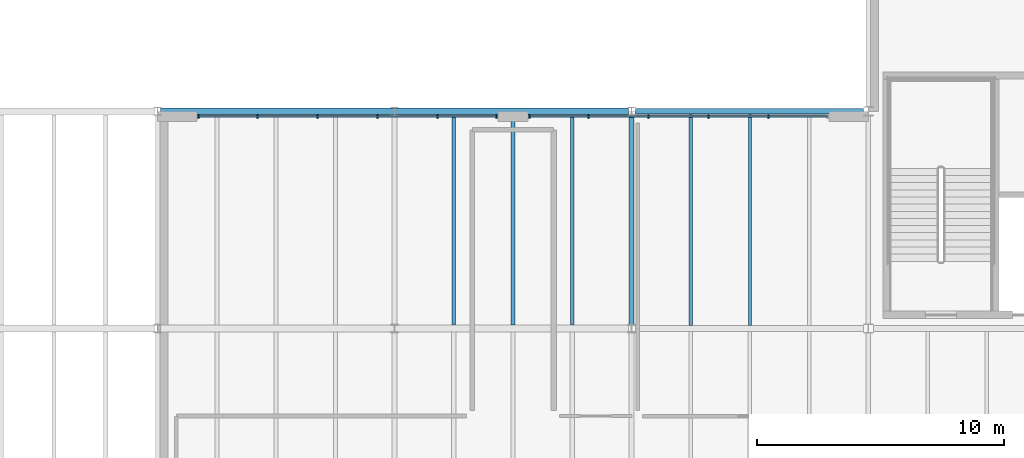
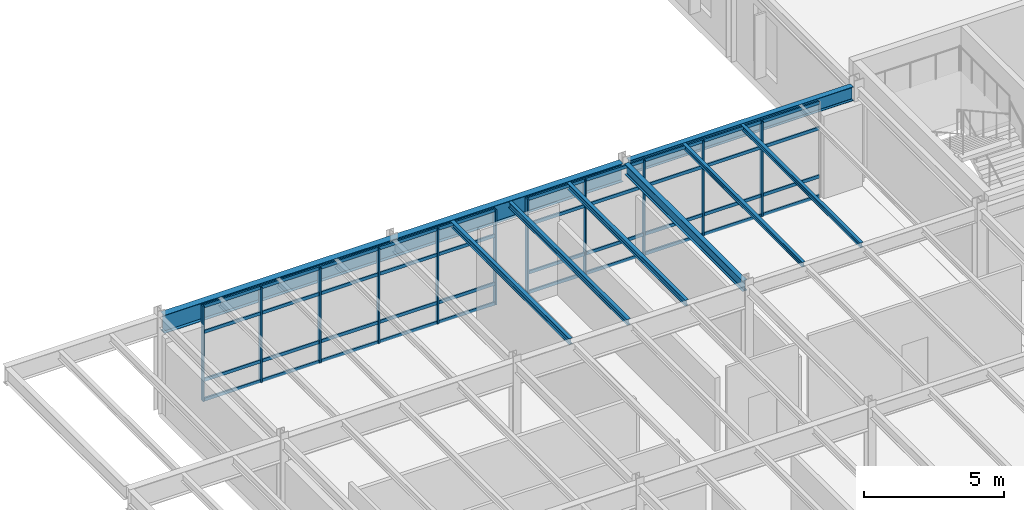
# One storey, part 31 of 77: 19 members, 8 beams, 2 elements without a shape of their own.
"""IFC4 building model written with IfcOpenShell, lengths in metres."""

from ifc_helpers import new_model, si_unit, direction, frame, origin, origin_2d, place, context, subcontext, project, spatial, rectangle, i_section, extrude, material, material_profile, profile_set, type_object, element, aggregate, save


model = new_model("IFC4")

# Units and contexts
model_context = context("Model", 3, precision=1e-05, world=origin(), true_north=direction((0.0, 1.0)))
body_context = subcontext(model_context, "Body", "Model", "MODEL_VIEW")
ifc_project = project(units=[si_unit("LENGTHUNIT", "METRE"), si_unit("AREAUNIT", "SQUARE_METRE"), si_unit("VOLUMEUNIT", "CUBIC_METRE"), si_unit("PLANEANGLEUNIT", "RADIAN"), si_unit("MASSUNIT", "GRAM", prefix="KILO")], contexts=[model_context])

# Site, building, storey
site_placement = place(None, origin())
site = spatial("IfcSite", under=ifc_project, at=site_placement, CompositionType="ELEMENT")
building_placement = place(site_placement, origin())
building = spatial("IfcBuilding", under=site, at=building_placement, Name="Sarnbrook Museum", CompositionType="ELEMENT")
storey_placement = place(building_placement, frame((0.0, 0.0, 5.60009765625)))
storey = spatial("IfcBuildingStorey", under=building, at=storey_placement, Name="L01", CompositionType="ELEMENT", Elevation=5.60009765625)

# Beams
ifc_material_1 = material(Name="Structural Steel Grade 300PLUS (AS/NZS 3679.1, fy = 280 MPa for 17 < t <= 40 mm, 300 MPa for t <= 17 mm)", Category="steel")
ifc_material_profile_1 = material_profile(ifc_material_1, i_section(OverallWidth=0.18994140625, OverallDepth=0.45703125, WebThickness=0.009033203125, FlangeThickness=0.014404296875, FilletRadius=0.011474609375, at=origin_2d()), Name="460UB74.6")
ifc_profile_set_1 = profile_set([ifc_material_profile_1], Name="Structural Steel Grade 300PLUS (AS/NZS 3679.1, fy = 280 MPa for 17 < t <= 40 mm, 300 MPa for t <= 17 mm)")
beam_type_1 = type_object("IfcBeamType", Name="BM-UB460", PredefinedType="BEAM", material=ifc_profile_set_1)
beam_1_placement = place(storey_placement, frame((32.800048828125, 83.363525390625, 3.991455078125), z_axis=(0.0, 1.0, 0.0), x_axis=(-1.0, 0.0, 0.0)))
element("IfcBeam", 1, at=beam_1_placement, inside=storey, type_object=beam_type_1, Name="Girder 4:K-L L01", PredefinedType="BEAM", context=body_context, shape_type="SweptSolid", body=[
    extrude(i_section(OverallWidth=0.18994140625, OverallDepth=0.45703125, WebThickness=0.009033203125, FlangeThickness=0.014404296875, FilletRadius=0.011474609375, at=origin_2d()), origin(), (0.0, 0.0, 1.0), 8.472900390625),
])
ifc_material_profile_2 = material_profile(ifc_material_1, i_section(OverallWidth=0.22802734375, OverallDepth=0.60693359375, WebThickness=0.01123046875, FlangeThickness=0.017333984375, FilletRadius=0.013916015625, at=origin_2d()), Name="610UB113")
ifc_profile_set_2 = profile_set([ifc_material_profile_2], Name="Structural Steel Grade 300PLUS (AS/NZS 3679.1, fy = 280 MPa for 17 < t <= 40 mm, 300 MPa for t <= 17 mm)")
beam_type_2 = type_object("IfcBeamType", Name="BM-UB610", PredefinedType="BEAM", material=ifc_profile_set_2)
beam_2_placement = place(storey_placement, frame((32.95556640625, 92.0, 3.91650390625), z_axis=(1.0, 0.0, 0.0), x_axis=(0.0, 1.0, 0.0)))
element("IfcBeam", 2, at=beam_2_placement, inside=storey, type_object=beam_type_2, Name="Girder L:4-5 L01", PredefinedType="BEAM", context=body_context, shape_type="SweptSolid", body=[
    extrude(i_section(OverallWidth=0.22802734375, OverallDepth=0.60693359375, WebThickness=0.01123046875, FlangeThickness=0.017333984375, FilletRadius=0.013916015625, at=origin_2d()), origin(), (0.0, 0.0, 1.0), 9.244384765625),
])
ifc_material_2 = material(Name="Structural Steel Grade 350L0 (AS/NZS 3678, fy = 340 MPa for 20 < t <= 40 mm)", Category="steel")
ifc_material_profile_3 = material_profile(ifc_material_2, i_section(OverallWidth=0.27490234375, OverallDepth=0.800048828125, WebThickness=0.010009765625, FlangeThickness=0.01611328125, at=origin_2d()), Name="800WB146")
ifc_profile_set_3 = profile_set([ifc_material_profile_3], Name="Structural Steel Grade 350L0 (AS/NZS 3678, fy = 340 MPa for 20 < t <= 40 mm)")
beam_type_3 = type_object("IfcBeamType", Name="CR-CANT", PredefinedType="BEAM", material=ifc_profile_set_3)
beam_3_placement = place(storey_placement, frame((32.679931640625, 92.0, 3.81982421875), z_axis=(-1.0, 0.0, 0.0), x_axis=(0.0, -1.0, 0.0)))
element("IfcBeam", 3, at=beam_3_placement, inside=storey, type_object=beam_type_3, Name="Cantilever North Edge Back-Span Girder L01", PredefinedType="BEAM", context=body_context, shape_type="SweptSolid", body=[
    extrude(i_section(OverallWidth=0.27490234375, OverallDepth=0.800048828125, WebThickness=0.010009765625, FlangeThickness=0.01611328125, at=origin_2d()), origin(), (0.0, 0.0, 1.0), 18.9599609375),
])

# Curtain wall, members
ifc_material_3 = material(Name="Thermally Broken Anodised Aluminium 6063-T6", Category="aluminium")
curtain_wall_type = type_object("IfcCurtainWallType", Name="CurtainWall_GalleryRibbon", PredefinedType="NOTDEFINED", material=ifc_material_3)
curtain_wall_1_placement = place(storey_placement, origin())
curtain_wall_1 = element("IfcCurtainWall", 4, at=curtain_wall_1_placement, inside=storey, type_object=curtain_wall_type, Name="Gallery Ribbon Curtain Wall L01-10.1", PredefinedType="NOTDEFINED")
ifc_material_profile_4 = material_profile(ifc_material_3, rectangle(XDim=0.06005859375, YDim=0.159912109375, at=origin_2d()), Name="ALU MULLION 60x160")
ifc_profile_set_4 = profile_set([ifc_material_profile_4], Name="Thermally Broken Anodised Aluminium 6063-T6")
member_type_1 = type_object("IfcMemberType", Name="CW_Mullion_150x65", PredefinedType="MULLION", material=ifc_profile_set_4)
member_1_placement = place(storey_placement, frame((38.347900390625, 91.7900390625, 0.0), z_axis=(0.0, 0.0, 1.0), x_axis=(1.0, 0.0, 0.0)))
member_1 = element("IfcMember", 5, at=member_1_placement, type_object=member_type_1, Name="Gallery Ribbon Curtain Wall L01-10.1 Mullion 2", PredefinedType="MULLION", context=body_context, shape_type="SweptSolid", body=[
    extrude(rectangle(XDim=0.06005859375, YDim=0.159912109375, at=origin_2d()), origin(), (0.0, 0.0, 1.0), 4.159912109375),
])
member_2_placement = place(storey_placement, frame((35.916015625, 91.7900390625, 0.0), z_axis=(0.0, 0.0, 1.0), x_axis=(1.0, 0.0, 0.0)))
member_2 = element("IfcMember", 6, at=member_2_placement, type_object=member_type_1, Name="Gallery Ribbon Curtain Wall L01-10.1 Mullion 3", PredefinedType="MULLION", context=body_context, shape_type="SweptSolid", body=[
    extrude(rectangle(XDim=0.06005859375, YDim=0.159912109375, at=origin_2d()), origin(), (0.0, 0.0, 1.0), 4.159912109375),
])
member_3_placement = place(storey_placement, frame((33.48388671875, 91.7900390625, 0.0), z_axis=(0.0, 0.0, 1.0), x_axis=(1.0, 0.0, 0.0)))
member_3 = element("IfcMember", 7, at=member_3_placement, type_object=member_type_1, Name="Gallery Ribbon Curtain Wall L01-10.1 Mullion 4", PredefinedType="MULLION", context=body_context, shape_type="SweptSolid", body=[
    extrude(rectangle(XDim=0.06005859375, YDim=0.159912109375, at=origin_2d()), origin(), (0.0, 0.0, 1.0), 4.159912109375),
])
member_4_placement = place(storey_placement, frame((31.052001953125, 91.7900390625, 0.0), z_axis=(0.0, 0.0, 1.0), x_axis=(1.0, 0.0, 0.0)))
member_4 = element("IfcMember", 8, at=member_4_placement, type_object=member_type_1, Name="Gallery Ribbon Curtain Wall L01-10.1 Mullion 5", PredefinedType="MULLION", context=body_context, shape_type="SweptSolid", body=[
    extrude(rectangle(XDim=0.06005859375, YDim=0.159912109375, at=origin_2d()), origin(), (0.0, 0.0, 1.0), 4.159912109375),
])
member_5_placement = place(storey_placement, frame((28.659912109375, 91.7900390625, 0.0), z_axis=(0.0, 0.0, 1.0), x_axis=(1.0, 0.0, 0.0)))
member_5 = element("IfcMember", 9, at=member_5_placement, type_object=member_type_1, Name="Gallery Ribbon Curtain Wall L01-10.1 Mullion 6", PredefinedType="MULLION", context=body_context, shape_type="SweptSolid", body=[
    extrude(rectangle(XDim=0.06005859375, YDim=0.159912109375, at=origin_2d()), origin(), (0.0, 0.0, 1.0), 4.159912109375),
])

curtain_wall_2_placement = place(storey_placement, origin())
curtain_wall_2 = element("IfcCurtainWall", 10, at=curtain_wall_2_placement, inside=storey, type_object=curtain_wall_type, Name="Gallery Ribbon Curtain Wall L01-10.2", PredefinedType="NOTDEFINED")
member_6_placement = place(storey_placement, frame((27.340087890625, 91.7900390625, 0.0), z_axis=(0.0, 0.0, 1.0), x_axis=(1.0, 0.0, 0.0)))
member_6 = element("IfcMember", 11, at=member_6_placement, type_object=member_type_1, Name="Gallery Ribbon Curtain Wall L01-10.2 Mullion 1", PredefinedType="MULLION", context=body_context, shape_type="SweptSolid", body=[
    extrude(rectangle(XDim=0.06005859375, YDim=0.159912109375, at=origin_2d()), origin(), (0.0, 0.0, 1.0), 4.159912109375),
])
member_7_placement = place(storey_placement, frame((24.947998046875, 91.7900390625, 0.0), z_axis=(0.0, 0.0, 1.0), x_axis=(1.0, 0.0, 0.0)))
member_7 = element("IfcMember", 12, at=member_7_placement, type_object=member_type_1, Name="Gallery Ribbon Curtain Wall L01-10.2 Mullion 2", PredefinedType="MULLION", context=body_context, shape_type="SweptSolid", body=[
    extrude(rectangle(XDim=0.06005859375, YDim=0.159912109375, at=origin_2d()), origin(), (0.0, 0.0, 1.0), 4.159912109375),
])
member_8_placement = place(storey_placement, frame((22.51611328125, 91.7900390625, 0.0), z_axis=(0.0, 0.0, 1.0), x_axis=(1.0, 0.0, 0.0)))
member_8 = element("IfcMember", 13, at=member_8_placement, type_object=member_type_1, Name="Gallery Ribbon Curtain Wall L01-10.2 Mullion 3", PredefinedType="MULLION", context=body_context, shape_type="SweptSolid", body=[
    extrude(rectangle(XDim=0.06005859375, YDim=0.159912109375, at=origin_2d()), origin(), (0.0, 0.0, 1.0), 4.159912109375),
])
member_9_placement = place(storey_placement, frame((20.083984375, 91.7900390625, 0.0), z_axis=(0.0, 0.0, 1.0), x_axis=(1.0, 0.0, 0.0)))
member_9 = element("IfcMember", 14, at=member_9_placement, type_object=member_type_1, Name="Gallery Ribbon Curtain Wall L01-10.2 Mullion 4", PredefinedType="MULLION", context=body_context, shape_type="SweptSolid", body=[
    extrude(rectangle(XDim=0.06005859375, YDim=0.159912109375, at=origin_2d()), origin(), (0.0, 0.0, 1.0), 4.159912109375),
])
member_10_placement = place(storey_placement, frame((17.652099609375, 91.7900390625, 0.0), z_axis=(0.0, 0.0, 1.0), x_axis=(1.0, 0.0, 0.0)))
member_10 = element("IfcMember", 15, at=member_10_placement, type_object=member_type_1, Name="Gallery Ribbon Curtain Wall L01-10.2 Mullion 5", PredefinedType="MULLION", context=body_context, shape_type="SweptSolid", body=[
    extrude(rectangle(XDim=0.06005859375, YDim=0.159912109375, at=origin_2d()), origin(), (0.0, 0.0, 1.0), 4.159912109375),
])
member_11_placement = place(storey_placement, frame((15.260009765625, 91.7900390625, 0.0), z_axis=(0.0, 0.0, 1.0), x_axis=(1.0, 0.0, 0.0)))
member_11 = element("IfcMember", 16, at=member_11_placement, type_object=member_type_1, Name="Gallery Ribbon Curtain Wall L01-10.2 Mullion 6", PredefinedType="MULLION", context=body_context, shape_type="SweptSolid", body=[
    extrude(rectangle(XDim=0.06005859375, YDim=0.159912109375, at=origin_2d()), origin(), (0.0, 0.0, 1.0), 4.159912109375),
])

# Member
ifc_material_profile_5 = material_profile(ifc_material_3, rectangle(XDim=0.06494140625, YDim=0.139892578125, at=origin_2d()), Name="ALU TRANSOM 65x140")
ifc_profile_set_5 = profile_set([ifc_material_profile_5], Name="Thermally Broken Anodised Aluminium 6063-T6")
member_type_2 = type_object("IfcMemberType", Name="CW_Transom_150x65", PredefinedType="USERDEFINED", material=ifc_profile_set_5)
member_12_placement = place(storey_placement, frame((40.72998046875, 91.7900390625, 0.039794921875), z_axis=(-1.0, 0.0, 0.0), x_axis=(0.0, -1.0, 0.0)))
member_12 = element("IfcMember", 17, at=member_12_placement, type_object=member_type_2, Name="Gallery Ribbon Curtain Wall L01-10.1 Transom 1", ObjectType="TRANSOM", PredefinedType="USERDEFINED", context=body_context, shape_type="SweptSolid", body=[
    extrude(rectangle(XDim=0.06494140625, YDim=0.139892578125, at=origin_2d()), origin(), (0.0, 0.0, 1.0), 12.06005859375),
])

member_13_placement = place(storey_placement, frame((40.72998046875, 91.7900390625, 0.89990234375), z_axis=(-1.0, 0.0, 0.0), x_axis=(0.0, -1.0, 0.0)))
member_13 = element("IfcMember", 18, at=member_13_placement, type_object=member_type_2, Name="Gallery Ribbon Curtain Wall L01-10.1 Transom 2", ObjectType="TRANSOM", PredefinedType="USERDEFINED", context=body_context, shape_type="SweptSolid", body=[
    extrude(rectangle(XDim=0.06494140625, YDim=0.139892578125, at=origin_2d()), origin(), (0.0, 0.0, 1.0), 12.06005859375),
])

member_14_placement = place(storey_placement, frame((40.72998046875, 91.7900390625, 3.0), z_axis=(-1.0, 0.0, 0.0), x_axis=(0.0, -1.0, 0.0)))
member_14 = element("IfcMember", 19, at=member_14_placement, type_object=member_type_2, Name="Gallery Ribbon Curtain Wall L01-10.1 Transom 3", ObjectType="TRANSOM", PredefinedType="USERDEFINED", context=body_context, shape_type="SweptSolid", body=[
    extrude(rectangle(XDim=0.06494140625, YDim=0.139892578125, at=origin_2d()), origin(), (0.0, 0.0, 1.0), 12.06005859375),
])

member_15_placement = place(storey_placement, frame((40.72998046875, 91.7900390625, 4.119873046875), z_axis=(-1.0, 0.0, 0.0), x_axis=(0.0, -1.0, 0.0)))
member_15 = element("IfcMember", 20, at=member_15_placement, type_object=member_type_2, Name="Gallery Ribbon Curtain Wall L01-10.1 Transom 4", ObjectType="TRANSOM", PredefinedType="USERDEFINED", context=body_context, shape_type="SweptSolid", body=[
    extrude(rectangle(XDim=0.06494140625, YDim=0.139892578125, at=origin_2d()), origin(), (0.0, 0.0, 1.0), 12.06005859375),
])

aggregate(curtain_wall_1, [member_1, member_2, member_3, member_4, member_5, member_12, member_13, member_14, member_15])

member_16_placement = place(storey_placement, frame((27.330078125, 91.7900390625, 0.039794921875), z_axis=(-1.0, 0.0, 0.0), x_axis=(0.0, -1.0, 0.0)))
member_16 = element("IfcMember", 21, at=member_16_placement, type_object=member_type_2, Name="Gallery Ribbon Curtain Wall L01-10.2 Transom 1", ObjectType="TRANSOM", PredefinedType="USERDEFINED", context=body_context, shape_type="SweptSolid", body=[
    extrude(rectangle(XDim=0.06494140625, YDim=0.139892578125, at=origin_2d()), origin(), (0.0, 0.0, 1.0), 12.06005859375),
])

member_17_placement = place(storey_placement, frame((27.330078125, 91.7900390625, 0.89990234375), z_axis=(-1.0, 0.0, 0.0), x_axis=(0.0, -1.0, 0.0)))
member_17 = element("IfcMember", 22, at=member_17_placement, type_object=member_type_2, Name="Gallery Ribbon Curtain Wall L01-10.2 Transom 2", ObjectType="TRANSOM", PredefinedType="USERDEFINED", context=body_context, shape_type="SweptSolid", body=[
    extrude(rectangle(XDim=0.06494140625, YDim=0.139892578125, at=origin_2d()), origin(), (0.0, 0.0, 1.0), 12.06005859375),
])

member_18_placement = place(storey_placement, frame((27.330078125, 91.7900390625, 3.0), z_axis=(-1.0, 0.0, 0.0), x_axis=(0.0, -1.0, 0.0)))
member_18 = element("IfcMember", 23, at=member_18_placement, type_object=member_type_2, Name="Gallery Ribbon Curtain Wall L01-10.2 Transom 3", ObjectType="TRANSOM", PredefinedType="USERDEFINED", context=body_context, shape_type="SweptSolid", body=[
    extrude(rectangle(XDim=0.06494140625, YDim=0.139892578125, at=origin_2d()), origin(), (0.0, 0.0, 1.0), 12.06005859375),
])

member_19_placement = place(storey_placement, frame((27.330078125, 91.7900390625, 4.119873046875), z_axis=(-1.0, 0.0, 0.0), x_axis=(0.0, -1.0, 0.0)))
member_19 = element("IfcMember", 24, at=member_19_placement, type_object=member_type_2, Name="Gallery Ribbon Curtain Wall L01-10.2 Transom 4", ObjectType="TRANSOM", PredefinedType="USERDEFINED", context=body_context, shape_type="SweptSolid", body=[
    extrude(rectangle(XDim=0.06494140625, YDim=0.139892578125, at=origin_2d()), origin(), (0.0, 0.0, 1.0), 12.06005859375),
])

aggregate(curtain_wall_2, [member_6, member_7, member_8, member_9, member_10, member_11, member_16, member_17, member_18, member_19])

# Beams
ifc_material_profile_6 = material_profile(ifc_material_1, i_section(OverallWidth=0.134033203125, OverallDepth=0.20703125, WebThickness=0.00634765625, FlangeThickness=0.009521484375, FilletRadius=0.0087890625, at=origin_2d()), Name="200UB29.8")
ifc_profile_set_6 = profile_set([ifc_material_profile_6], Name="Structural Steel Grade 300PLUS (AS/NZS 3679.1, fy = 280 MPa for 17 < t <= 40 mm, 300 MPa for t <= 17 mm)")
beam_type_4 = type_object("IfcBeamType", Name="JS-UB200", PredefinedType="JOIST", material=ifc_profile_set_6)
for number, where, z_axis, x_axis, name in (
    (25, (35.199951171875, 83.31396484375, 4.116455078125), (0.0, 1.0, 0.0), (-1.0, 0.0, 0.0), "Composite Floor Joist 4K-1 L01"),
    (26, (37.60009765625, 83.31396484375, 4.116455078125), (0.0, 1.0, 0.0), (-1.0, 0.0, 0.0), "Composite Floor Joist 4K-2 L01"),
):
    element("IfcBeam", number, at=place(storey_placement, frame(where, z_axis=z_axis, x_axis=x_axis)), inside=storey, type_object=beam_type_4, Name=name, PredefinedType="JOIST", context=body_context, shape_type="SweptSolid", body=[
        extrude(i_section(OverallWidth=0.134033203125, OverallDepth=0.20703125, WebThickness=0.00634765625, FlangeThickness=0.009521484375, FilletRadius=0.0087890625, at=origin_2d()), origin(), (0.0, 0.0, 1.0), 8.572021484375),
    ])
ifc_material_profile_7 = material_profile(ifc_material_1, i_section(OverallWidth=0.14599609375, OverallDepth=0.256103515625, WebThickness=0.00634765625, FlangeThickness=0.010986328125, FilletRadius=0.0087890625, at=origin_2d()), Name="250UB37.3")
ifc_profile_set_7 = profile_set([ifc_material_profile_7], Name="Structural Steel Grade 300PLUS (AS/NZS 3679.1, fy = 280 MPa for 17 < t <= 40 mm, 300 MPa for t <= 17 mm)")
beam_type_5 = type_object("IfcBeamType", Name="JS-UB250", PredefinedType="JOIST", material=ifc_profile_set_7)
for number, where, z_axis, x_axis, name in (
    (27, (25.60009765625, 83.35009765625, 4.091796875), (0.0, 1.0, 0.0), (-1.0, 0.0, 0.0), "Composite Floor Joist 3K-1 L01"),
    (28, (28.0, 83.35009765625, 4.091796875), (0.0, 1.0, 0.0), (-1.0, 0.0, 0.0), "Composite Floor Joist 3K-2 L01"),
    (29, (30.39990234375, 83.35009765625, 4.091796875), (0.0, 1.0, 0.0), (-1.0, 0.0, 0.0), "Composite Floor Joist 3K-3 L01"),
):
    element("IfcBeam", number, at=place(storey_placement, frame(where, z_axis=z_axis, x_axis=x_axis)), inside=storey, type_object=beam_type_5, Name=name, PredefinedType="JOIST", context=body_context, shape_type="SweptSolid", body=[
        extrude(i_section(OverallWidth=0.14599609375, OverallDepth=0.256103515625, WebThickness=0.00634765625, FlangeThickness=0.010986328125, FilletRadius=0.0087890625, at=origin_2d()), origin(), (0.0, 0.0, 1.0), 8.5),
    ])

save(model, "model.ifc")
